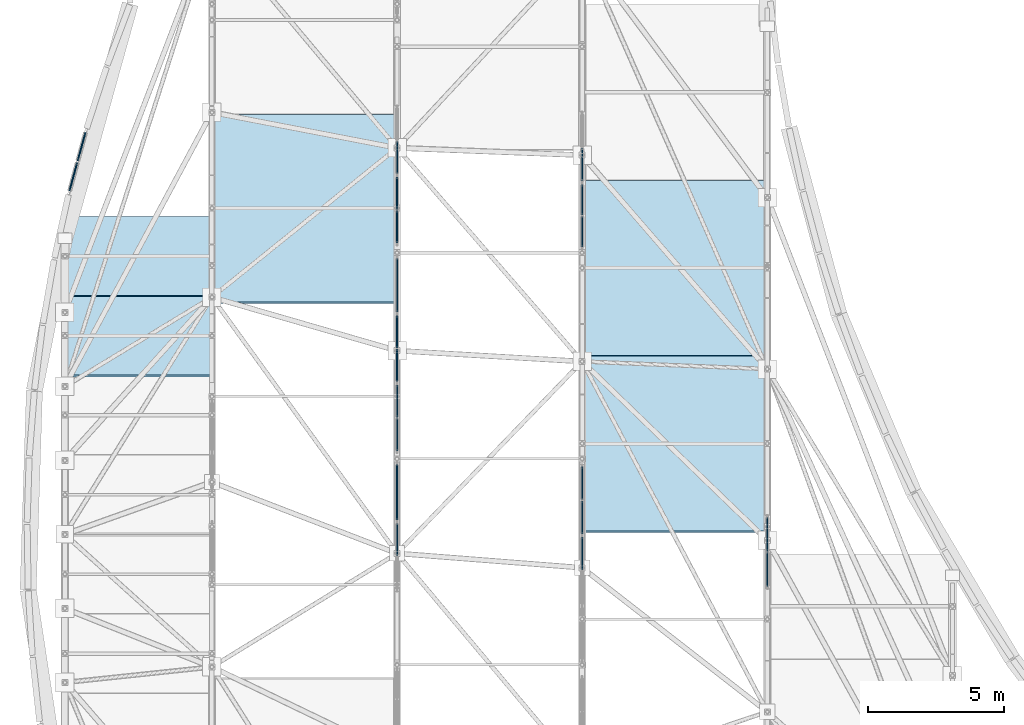
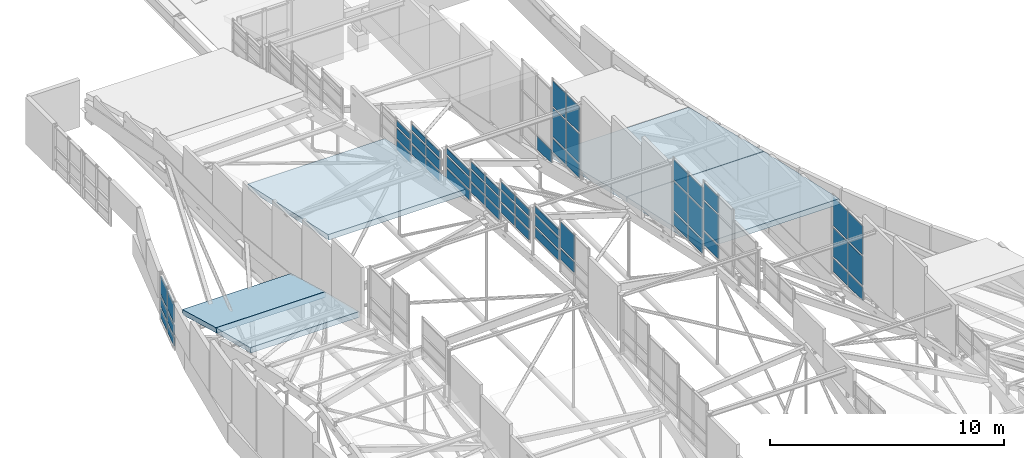
# One storey, part 157 of 188: 57 plates, 5 slabs, 13 elements without a shape of their own.
"""IFC4 building model written with IfcOpenShell, lengths in metres."""

from ifc_helpers import new_model, si_unit, direction, frame, origin, origin_2d, place, context, subcontext, project, spatial, polyline, rectangle, outline, extrude, material, layer, layer_set, type_object, element, aggregate, save


model = new_model("IFC4")

# Units and contexts
model_context = context("Model", 3, precision=1e-05, world=origin(), true_north=direction((0.0, 1.0)))
body_context = subcontext(model_context, "Body", "Model", "MODEL_VIEW")
ifc_project = project(units=[si_unit("LENGTHUNIT", "METRE"), si_unit("AREAUNIT", "SQUARE_METRE"), si_unit("VOLUMEUNIT", "CUBIC_METRE"), si_unit("PLANEANGLEUNIT", "RADIAN"), si_unit("MASSUNIT", "GRAM", prefix="KILO")], contexts=[model_context])

# Site, building, storey
site_placement = place(None, origin())
site = spatial("IfcSite", under=ifc_project, at=site_placement, CompositionType="ELEMENT")
building_placement = place(site_placement, origin())
building = spatial("IfcBuilding", under=site, at=building_placement, Name="Kisaragi Civic Commons", CompositionType="ELEMENT")
storey_placement = place(building_placement, frame((0.0, 0.0, 9.60009765625)))
storey = spatial("IfcBuildingStorey", under=building, at=storey_placement, Name="L02", CompositionType="ELEMENT", Elevation=9.60009765625)

# Curtain wall, plates
ifc_material_1 = material(Name="Thermally broken anodized aluminium and low-E double glazing", Category="aluminium")
ifc_layer_1 = layer(ifc_material_1, 0.2099609375, Name="Thermally broken anodized aluminium and low-E double glazing", Category="aluminium")
ifc_layer_set_1 = layer_set([ifc_layer_1], Name="Thermally broken anodized aluminium and low-E double glazing")
curtain_wall_type_1 = type_object("IfcCurtainWallType", Name="CW-02", PredefinedType="NOTDEFINED", material=ifc_layer_set_1)
curtain_wall_1_placement = place(storey_placement, origin())
curtain_wall_1 = element("IfcCurtainWall", 1, at=curtain_wall_1_placement, inside=storey, type_object=curtain_wall_type_1, Name="L02 curtain wall CW-02 CW-GAB-V1-171", PredefinedType="NOTDEFINED")
ifc_layer_2 = layer(ifc_material_1, 0.052001953125, Name="Thermally broken anodized aluminium and low-E double glazing", Category="aluminium")
ifc_layer_set_2 = layer_set([ifc_layer_2], Name="Thermally broken anodized aluminium and low-E double glazing")
plate_type_1 = type_object("IfcPlateType", Name="CWP-02", PredefinedType="CURTAIN_PANEL", material=ifc_layer_set_2)
plate_1_placement = place(storey_placement, frame((1.7099609375, 46.452392578125, -1.2392578125), z_axis=(0.0, 0.0, 1.0), x_axis=(0.263417873406, 0.964681825251, 0.0)))
plate_1 = element("IfcPlate", 2, at=plate_1_placement, type_object=plate_type_1, Name="CW-02 panel 1.1", PredefinedType="CURTAIN_PANEL", context=body_context, shape_type="SweptSolid", body=[
    extrude(rectangle(XDim=1.07763671875, YDim=0.052001953125, at=origin_2d()), origin(), (0.0, 0.0, 1.0), 0.409912109375),
])
plate_2_placement = place(storey_placement, frame((1.7099609375, 46.452392578125, -0.6689453125), z_axis=(0.0, 0.0, 1.0), x_axis=(0.263417873406, 0.964681825251, 0.0)))
plate_2 = element("IfcPlate", 3, at=plate_2_placement, type_object=plate_type_1, Name="CW-02 panel 1.2", PredefinedType="CURTAIN_PANEL", context=body_context, shape_type="SweptSolid", body=[
    extrude(rectangle(XDim=1.07763671875, YDim=0.052001953125, at=origin_2d()), origin(), (0.0, 0.0, 1.0), 0.489990234375),
])
plate_3_placement = place(storey_placement, frame((1.7099609375, 46.452392578125, -0.01904296875), z_axis=(0.0, 0.0, 1.0), x_axis=(0.263417873406, 0.964681825251, 0.0)))
plate_3 = element("IfcPlate", 4, at=plate_3_placement, type_object=plate_type_1, Name="CW-02 panel 1.3", PredefinedType="CURTAIN_PANEL", context=body_context, shape_type="SweptSolid", body=[
    extrude(rectangle(XDim=1.07763671875, YDim=0.052001953125, at=origin_2d()), origin(), (0.0, 0.0, 1.0), 0.9208984375),
])
plate_4_placement = place(storey_placement, frame((2.01220703125, 47.5595703125, -1.2392578125), z_axis=(0.0, 0.0, 1.0), x_axis=(0.263417873406, 0.964681825251, 0.0)))
plate_4 = element("IfcPlate", 5, at=plate_4_placement, type_object=plate_type_1, Name="CW-02 panel 2.1", PredefinedType="CURTAIN_PANEL", context=body_context, shape_type="SweptSolid", body=[
    extrude(rectangle(XDim=1.07763671875, YDim=0.052001953125, at=origin_2d()), origin(), (0.0, 0.0, 1.0), 0.409912109375),
])
plate_5_placement = place(storey_placement, frame((2.01220703125, 47.5595703125, -0.6689453125), z_axis=(0.0, 0.0, 1.0), x_axis=(0.263417873406, 0.964681825251, 0.0)))
plate_5 = element("IfcPlate", 6, at=plate_5_placement, type_object=plate_type_1, Name="CW-02 panel 2.2", PredefinedType="CURTAIN_PANEL", context=body_context, shape_type="SweptSolid", body=[
    extrude(rectangle(XDim=1.07763671875, YDim=0.052001953125, at=origin_2d()), origin(), (0.0, 0.0, 1.0), 0.489990234375),
])
plate_6_placement = place(storey_placement, frame((2.01220703125, 47.5595703125, -0.01904296875), z_axis=(0.0, 0.0, 1.0), x_axis=(0.263417873406, 0.964681825251, 0.0)))
plate_6 = element("IfcPlate", 7, at=plate_6_placement, type_object=plate_type_1, Name="CW-02 panel 2.3", PredefinedType="CURTAIN_PANEL", context=body_context, shape_type="SweptSolid", body=[
    extrude(rectangle(XDim=1.07763671875, YDim=0.052001953125, at=origin_2d()), origin(), (0.0, 0.0, 1.0), 0.9208984375),
])
aggregate(curtain_wall_1, [plate_1, plate_2, plate_3, plate_4, plate_5, plate_6])

ifc_layer_3 = layer(ifc_material_1, 0.14990234375, Name="Thermally broken anodized aluminium and low-E double glazing", Category="aluminium")
ifc_layer_set_3 = layer_set([ifc_layer_3], Name="Thermally broken anodized aluminium and low-E double glazing")
curtain_wall_type_2 = type_object("IfcCurtainWallType", Name="CW-03", PredefinedType="NOTDEFINED", material=ifc_layer_set_3)
curtain_wall_2_placement = place(storey_placement, origin())
curtain_wall_2 = element("IfcCurtainWall", 8, at=curtain_wall_2_placement, inside=storey, type_object=curtain_wall_type_2, Name="L02 curtain wall CW-03 CW-CL-V1-142", PredefinedType="NOTDEFINED")
ifc_layer_4 = layer(ifc_material_1, 0.0380859375, Name="Thermally broken anodized aluminium and low-E double glazing", Category="aluminium")
ifc_layer_set_4 = layer_set([ifc_layer_4], Name="Thermally broken anodized aluminium and low-E double glazing")
plate_type_2 = type_object("IfcPlateType", Name="CWP-03", PredefinedType="CURTAIN_PANEL", material=ifc_layer_set_4)
plate_7_placement = place(storey_placement, frame((13.60009765625, 33.12353515625, 6.4931640625), z_axis=(0.0, 0.0, 1.0), x_axis=(0.0, 1.0, 0.0)))
plate_7 = element("IfcPlate", 9, at=plate_7_placement, type_object=plate_type_2, Name="CW-03 panel 2.2", PredefinedType="CURTAIN_PANEL", context=body_context, shape_type="SweptSolid", body=[
    extrude(rectangle(XDim=1.170166015625, YDim=0.0380859375, at=origin_2d()), origin(), (0.0, 0.0, 1.0), 0.530029296875),
])
plate_8_placement = place(storey_placement, frame((13.60009765625, 33.12353515625, 7.14306640625), z_axis=(0.0, 0.0, 1.0), x_axis=(0.0, 1.0, 0.0)))
plate_8 = element("IfcPlate", 10, at=plate_8_placement, type_object=plate_type_2, Name="CW-03 panel 2.3", PredefinedType="CURTAIN_PANEL", context=body_context, shape_type="SweptSolid", body=[
    extrude(rectangle(XDim=1.170166015625, YDim=0.0380859375, at=origin_2d()), origin(), (0.0, 0.0, 1.0), 1.294189453125),
])
aggregate(curtain_wall_2, [plate_7, plate_8])

curtain_wall_3_placement = place(storey_placement, origin())
curtain_wall_3 = element("IfcCurtainWall", 11, at=curtain_wall_3_placement, inside=storey, type_object=curtain_wall_type_2, Name="L02 curtain wall CW-03 CW-CL-V1-144", PredefinedType="NOTDEFINED")
plate_9_placement = place(storey_placement, frame((13.60009765625, 36.982177734375, 5.8544921875), z_axis=(0.0, 0.0, 1.0), x_axis=(0.0, 1.0, 0.0)))
plate_9 = element("IfcPlate", 12, at=plate_9_placement, type_object=plate_type_2, Name="CW-03 panel 1.1", PredefinedType="CURTAIN_PANEL", context=body_context, shape_type="SweptSolid", body=[
    extrude(rectangle(XDim=1.170166015625, YDim=0.0380859375, at=origin_2d()), origin(), (0.0, 0.0, 1.0), 0.469970703125),
])
plate_10_placement = place(storey_placement, frame((13.60009765625, 36.982177734375, 6.44482421875), z_axis=(0.0, 0.0, 1.0), x_axis=(0.0, 1.0, 0.0)))
plate_10 = element("IfcPlate", 13, at=plate_10_placement, type_object=plate_type_2, Name="CW-03 panel 1.2", PredefinedType="CURTAIN_PANEL", context=body_context, shape_type="SweptSolid", body=[
    extrude(rectangle(XDim=1.170166015625, YDim=0.0380859375, at=origin_2d()), origin(), (0.0, 0.0, 1.0), 0.530029296875),
])
plate_11_placement = place(storey_placement, frame((13.60009765625, 36.982177734375, 7.094482421875), z_axis=(0.0, 0.0, 1.0), x_axis=(0.0, 1.0, 0.0)))
plate_11 = element("IfcPlate", 14, at=plate_11_placement, type_object=plate_type_2, Name="CW-03 panel 1.3", PredefinedType="CURTAIN_PANEL", context=body_context, shape_type="SweptSolid", body=[
    extrude(rectangle(XDim=1.170166015625, YDim=0.0380859375, at=origin_2d()), origin(), (0.0, 0.0, 1.0), 0.353515625),
])
plate_12_placement = place(storey_placement, frame((13.60009765625, 38.21240234375, 5.8544921875), z_axis=(0.0, 0.0, 1.0), x_axis=(0.0, 1.0, 0.0)))
plate_12 = element("IfcPlate", 15, at=plate_12_placement, type_object=plate_type_2, Name="CW-03 panel 2.1", PredefinedType="CURTAIN_PANEL", context=body_context, shape_type="SweptSolid", body=[
    extrude(rectangle(XDim=1.170166015625, YDim=0.0380859375, at=origin_2d()), origin(), (0.0, 0.0, 1.0), 0.469970703125),
])
plate_13_placement = place(storey_placement, frame((13.60009765625, 38.21240234375, 6.44482421875), z_axis=(0.0, 0.0, 1.0), x_axis=(0.0, 1.0, 0.0)))
plate_13 = element("IfcPlate", 16, at=plate_13_placement, type_object=plate_type_2, Name="CW-03 panel 2.2", PredefinedType="CURTAIN_PANEL", context=body_context, shape_type="SweptSolid", body=[
    extrude(rectangle(XDim=1.170166015625, YDim=0.0380859375, at=origin_2d()), origin(), (0.0, 0.0, 1.0), 0.530029296875),
])
plate_14_placement = place(storey_placement, frame((13.60009765625, 38.21240234375, 7.094482421875), z_axis=(0.0, 0.0, 1.0), x_axis=(0.0, 1.0, 0.0)))
plate_14 = element("IfcPlate", 17, at=plate_14_placement, type_object=plate_type_2, Name="CW-03 panel 2.3", PredefinedType="CURTAIN_PANEL", context=body_context, shape_type="SweptSolid", body=[
    extrude(rectangle(XDim=1.170166015625, YDim=0.0380859375, at=origin_2d()), origin(), (0.0, 0.0, 1.0), 0.353515625),
])
aggregate(curtain_wall_3, [plate_9, plate_10, plate_11, plate_12, plate_13, plate_14])

curtain_wall_4_placement = place(storey_placement, origin())
curtain_wall_4 = element("IfcCurtainWall", 18, at=curtain_wall_4_placement, inside=storey, type_object=curtain_wall_type_2, Name="L02 curtain wall CW-03 CW-CL-V1-146", PredefinedType="NOTDEFINED")
plate_15_placement = place(storey_placement, frame((13.60009765625, 42.4638671875, 4.84228515625), z_axis=(0.0, 0.0, 1.0), x_axis=(0.0, 1.0, 0.0)))
plate_15 = element("IfcPlate", 19, at=plate_15_placement, type_object=plate_type_2, Name="CW-03 panel 1.1", PredefinedType="CURTAIN_PANEL", context=body_context, shape_type="SweptSolid", body=[
    extrude(rectangle(XDim=1.95556640625, YDim=0.0380859375, at=origin_2d()), origin(), (0.0, 0.0, 1.0), 0.469970703125),
])
plate_16_placement = place(storey_placement, frame((13.60009765625, 42.4638671875, 5.43212890625), z_axis=(0.0, 0.0, 1.0), x_axis=(0.0, 1.0, 0.0)))
plate_16 = element("IfcPlate", 20, at=plate_16_placement, type_object=plate_type_2, Name="CW-03 panel 1.2", PredefinedType="CURTAIN_PANEL", context=body_context, shape_type="SweptSolid", body=[
    extrude(rectangle(XDim=1.95556640625, YDim=0.0380859375, at=origin_2d()), origin(), (0.0, 0.0, 1.0), 0.530029296875),
])
plate_17_placement = place(storey_placement, frame((13.60009765625, 42.4638671875, 6.082275390625), z_axis=(0.0, 0.0, 1.0), x_axis=(0.0, 1.0, 0.0)))
plate_17 = element("IfcPlate", 21, at=plate_17_placement, type_object=plate_type_2, Name="CW-03 panel 1.3", PredefinedType="CURTAIN_PANEL", context=body_context, shape_type="SweptSolid", body=[
    extrude(rectangle(XDim=1.95556640625, YDim=0.0380859375, at=origin_2d()), origin(), (0.0, 0.0, 1.0), 0.2998046875),
])
aggregate(curtain_wall_4, [plate_15, plate_16, plate_17])

curtain_wall_5_placement = place(storey_placement, origin())
curtain_wall_5 = element("IfcCurtainWall", 22, at=curtain_wall_5_placement, inside=storey, type_object=curtain_wall_type_2, Name="L02 curtain wall CW-03 CW-CL-V1-148", PredefinedType="NOTDEFINED")
plate_18_placement = place(storey_placement, frame((13.60009765625, 47.16015625, 3.71435546875), z_axis=(0.0, 0.0, 1.0), x_axis=(0.0, 1.0, 0.0)))
plate_18 = element("IfcPlate", 23, at=plate_18_placement, type_object=plate_type_2, Name="CW-03 panel 1.1", PredefinedType="CURTAIN_PANEL", context=body_context, shape_type="SweptSolid", body=[
    extrude(rectangle(XDim=1.170166015625, YDim=0.0380859375, at=origin_2d()), origin(), (0.0, 0.0, 1.0), 0.469970703125),
])
plate_19_placement = place(storey_placement, frame((13.60009765625, 47.16015625, 4.30419921875), z_axis=(0.0, 0.0, 1.0), x_axis=(0.0, 1.0, 0.0)))
plate_19 = element("IfcPlate", 24, at=plate_19_placement, type_object=plate_type_2, Name="CW-03 panel 1.2", PredefinedType="CURTAIN_PANEL", context=body_context, shape_type="SweptSolid", body=[
    extrude(rectangle(XDim=1.170166015625, YDim=0.0380859375, at=origin_2d()), origin(), (0.0, 0.0, 1.0), 0.530029296875),
])
plate_20_placement = place(storey_placement, frame((13.60009765625, 47.16015625, 4.9541015625), z_axis=(0.0, 0.0, 1.0), x_axis=(0.0, 1.0, 0.0)))
plate_20 = element("IfcPlate", 25, at=plate_20_placement, type_object=plate_type_2, Name="CW-03 panel 1.3", PredefinedType="CURTAIN_PANEL", context=body_context, shape_type="SweptSolid", body=[
    extrude(rectangle(XDim=1.170166015625, YDim=0.0380859375, at=origin_2d()), origin(), (0.0, 0.0, 1.0), 0.290771484375),
])
aggregate(curtain_wall_5, [plate_18, plate_19, plate_20])

curtain_wall_6_placement = place(storey_placement, origin())
curtain_wall_6 = element("IfcCurtainWall", 26, at=curtain_wall_6_placement, inside=storey, type_object=curtain_wall_type_2, Name="L02 curtain wall CW-03 CW-CL-V1-160", PredefinedType="NOTDEFINED")
plate_21_placement = place(storey_placement, frame((20.39990234375, 32.606201171875, 5.15673828125), z_axis=(0.0, 0.0, 1.0), x_axis=(0.0, 1.0, 0.0)))
plate_21 = element("IfcPlate", 27, at=plate_21_placement, type_object=plate_type_2, Name="CW-03 panel 2.1", PredefinedType="CURTAIN_PANEL", context=body_context, shape_type="SweptSolid", body=[
    extrude(rectangle(XDim=1.193115234375, YDim=0.0380859375, at=origin_2d()), origin(), (0.0, 0.0, 1.0), 0.669921875),
])
plate_22_placement = place(storey_placement, frame((20.39990234375, 32.606201171875, 5.946533203125), z_axis=(0.0, 0.0, 1.0), x_axis=(0.0, 1.0, 0.0)))
plate_22 = element("IfcPlate", 28, at=plate_22_placement, type_object=plate_type_2, Name="CW-03 panel 2.2", PredefinedType="CURTAIN_PANEL", context=body_context, shape_type="SweptSolid", body=[
    extrude(rectangle(XDim=1.193115234375, YDim=0.0380859375, at=origin_2d()), origin(), (0.0, 0.0, 1.0), 1.47998046875),
])
plate_23_placement = place(storey_placement, frame((20.39990234375, 32.606201171875, 7.546630859375), z_axis=(0.0, 0.0, 1.0), x_axis=(0.0, 1.0, 0.0)))
plate_23 = element("IfcPlate", 29, at=plate_23_placement, type_object=plate_type_2, Name="CW-03 panel 2.3", PredefinedType="CURTAIN_PANEL", context=body_context, shape_type="SweptSolid", body=[
    extrude(rectangle(XDim=1.193115234375, YDim=0.0380859375, at=origin_2d()), origin(), (0.0, 0.0, 1.0), 0.86474609375),
])
aggregate(curtain_wall_6, [plate_21, plate_22, plate_23])

curtain_wall_7_placement = place(storey_placement, origin())
curtain_wall_7 = element("IfcCurtainWall", 30, at=curtain_wall_7_placement, inside=storey, type_object=curtain_wall_type_2, Name="L02 curtain wall CW-03 CW-CL-V1-162", PredefinedType="NOTDEFINED")
plate_24_placement = place(storey_placement, frame((20.39990234375, 44.434814453125, 2.18505859375), z_axis=(0.0, 0.0, 1.0), x_axis=(0.0, 1.0, 0.0)))
plate_24 = element("IfcPlate", 31, at=plate_24_placement, type_object=plate_type_2, Name="CW-03 panel 1.1", PredefinedType="CURTAIN_PANEL", context=body_context, shape_type="SweptSolid", body=[
    extrude(rectangle(XDim=1.10693359375, YDim=0.0380859375, at=origin_2d()), origin(), (0.0, 0.0, 1.0), 0.669921875),
])
plate_25_placement = place(storey_placement, frame((20.39990234375, 44.434814453125, 2.97509765625), z_axis=(0.0, 0.0, 1.0), x_axis=(0.0, 1.0, 0.0)))
plate_25 = element("IfcPlate", 32, at=plate_25_placement, type_object=plate_type_2, Name="CW-03 panel 1.2", PredefinedType="CURTAIN_PANEL", context=body_context, shape_type="SweptSolid", body=[
    extrude(rectangle(XDim=1.10693359375, YDim=0.0380859375, at=origin_2d()), origin(), (0.0, 0.0, 1.0), 1.47998046875),
])
plate_26_placement = place(storey_placement, frame((20.39990234375, 44.434814453125, 4.5751953125), z_axis=(0.0, 0.0, 1.0), x_axis=(0.0, 1.0, 0.0)))
plate_26 = element("IfcPlate", 33, at=plate_26_placement, type_object=plate_type_2, Name="CW-03 panel 1.3", PredefinedType="CURTAIN_PANEL", context=body_context, shape_type="SweptSolid", body=[
    extrude(rectangle(XDim=1.10693359375, YDim=0.0380859375, at=origin_2d()), origin(), (0.0, 0.0, 1.0), 1.30908203125),
])
plate_27_placement = place(storey_placement, frame((20.39990234375, 45.601806640625, 2.18505859375), z_axis=(0.0, 0.0, 1.0), x_axis=(0.0, 1.0, 0.0)))
plate_27 = element("IfcPlate", 34, at=plate_27_placement, type_object=plate_type_2, Name="CW-03 panel 2.1", PredefinedType="CURTAIN_PANEL", context=body_context, shape_type="SweptSolid", body=[
    extrude(rectangle(XDim=1.10693359375, YDim=0.0380859375, at=origin_2d()), origin(), (0.0, 0.0, 1.0), 0.669921875),
])
plate_28_placement = place(storey_placement, frame((20.39990234375, 45.601806640625, 2.97509765625), z_axis=(0.0, 0.0, 1.0), x_axis=(0.0, 1.0, 0.0)))
plate_28 = element("IfcPlate", 35, at=plate_28_placement, type_object=plate_type_2, Name="CW-03 panel 2.2", PredefinedType="CURTAIN_PANEL", context=body_context, shape_type="SweptSolid", body=[
    extrude(rectangle(XDim=1.10693359375, YDim=0.0380859375, at=origin_2d()), origin(), (0.0, 0.0, 1.0), 1.47998046875),
])
plate_29_placement = place(storey_placement, frame((20.39990234375, 45.601806640625, 4.5751953125), z_axis=(0.0, 0.0, 1.0), x_axis=(0.0, 1.0, 0.0)))
plate_29 = element("IfcPlate", 36, at=plate_29_placement, type_object=plate_type_2, Name="CW-03 panel 2.3", PredefinedType="CURTAIN_PANEL", context=body_context, shape_type="SweptSolid", body=[
    extrude(rectangle(XDim=1.10693359375, YDim=0.0380859375, at=origin_2d()), origin(), (0.0, 0.0, 1.0), 1.30908203125),
])
aggregate(curtain_wall_7, [plate_24, plate_25, plate_26, plate_27, plate_28, plate_29])

curtain_wall_8_placement = place(storey_placement, origin())
curtain_wall_8 = element("IfcCurtainWall", 37, at=curtain_wall_8_placement, inside=storey, type_object=curtain_wall_type_2, Name="L02 curtain wall CW-03 CW-CL-V1-143", PredefinedType="NOTDEFINED")
ifc_layer_5 = layer(ifc_material_1, 0.041015625, Name="Thermally broken anodized aluminium and low-E double glazing", Category="aluminium")
ifc_layer_set_5 = layer_set([ifc_layer_5], Name="Thermally broken anodized aluminium and low-E double glazing")
plate_type_3 = type_object("IfcPlateType", Name="CWP-11", PredefinedType="CURTAIN_PANEL", material=ifc_layer_set_5)
plate_30_placement = place(storey_placement, frame((13.60009765625, 34.86328125, 6.34912109375), z_axis=(0.0, 0.0, 1.0), x_axis=(0.0, 1.0, 0.0)))
plate_30 = element("IfcPlate", 38, at=plate_30_placement, type_object=plate_type_3, Name="CW-03 panel 1.1", PredefinedType="CURTAIN_PANEL", context=body_context, shape_type="SweptSolid", body=[
    extrude(rectangle(XDim=2.021484375, YDim=0.041015625, at=origin_2d()), origin(), (0.0, 0.0, 1.0), 0.469970703125),
])
plate_31_placement = place(storey_placement, frame((13.60009765625, 34.86328125, 6.93896484375), z_axis=(0.0, 0.0, 1.0), x_axis=(0.0, 1.0, 0.0)))
plate_31 = element("IfcPlate", 39, at=plate_31_placement, type_object=plate_type_3, Name="CW-03 panel 1.2", PredefinedType="CURTAIN_PANEL", context=body_context, shape_type="SweptSolid", body=[
    extrude(rectangle(XDim=2.021484375, YDim=0.041015625, at=origin_2d()), origin(), (0.0, 0.0, 1.0), 0.530029296875),
])
plate_32_placement = place(storey_placement, frame((13.60009765625, 34.86328125, 7.589111328125), z_axis=(0.0, 0.0, 1.0), x_axis=(0.0, 1.0, 0.0)))
plate_32 = element("IfcPlate", 40, at=plate_32_placement, type_object=plate_type_3, Name="CW-03 panel 1.3", PredefinedType="CURTAIN_PANEL", context=body_context, shape_type="SweptSolid", body=[
    extrude(rectangle(XDim=2.021484375, YDim=0.041015625, at=origin_2d()), origin(), (0.0, 0.0, 1.0), 0.353515625),
])
aggregate(curtain_wall_8, [plate_30, plate_31, plate_32])

curtain_wall_9_placement = place(storey_placement, origin())
curtain_wall_9 = element("IfcCurtainWall", 41, at=curtain_wall_9_placement, inside=storey, type_object=curtain_wall_type_2, Name="L02 curtain wall CW-03 CW-CL-V1-145", PredefinedType="NOTDEFINED")
plate_33_placement = place(storey_placement, frame((13.60009765625, 39.526611328125, 5.35986328125), z_axis=(0.0, 0.0, 1.0), x_axis=(0.0, 1.0, 0.0)))
plate_33 = element("IfcPlate", 42, at=plate_33_placement, type_object=plate_type_3, Name="CW-03 panel 1.1", PredefinedType="CURTAIN_PANEL", context=body_context, shape_type="SweptSolid", body=[
    extrude(rectangle(XDim=1.170166015625, YDim=0.041015625, at=origin_2d()), origin(), (0.0, 0.0, 1.0), 0.469970703125),
])
plate_34_placement = place(storey_placement, frame((13.60009765625, 39.526611328125, 5.9501953125), z_axis=(0.0, 0.0, 1.0), x_axis=(0.0, 1.0, 0.0)))
plate_34 = element("IfcPlate", 43, at=plate_34_placement, type_object=plate_type_3, Name="CW-03 panel 1.2", PredefinedType="CURTAIN_PANEL", context=body_context, shape_type="SweptSolid", body=[
    extrude(rectangle(XDim=1.170166015625, YDim=0.041015625, at=origin_2d()), origin(), (0.0, 0.0, 1.0), 0.530029296875),
])
plate_35_placement = place(storey_placement, frame((13.60009765625, 39.526611328125, 6.60009765625), z_axis=(0.0, 0.0, 1.0), x_axis=(0.0, 1.0, 0.0)))
plate_35 = element("IfcPlate", 44, at=plate_35_placement, type_object=plate_type_3, Name="CW-03 panel 1.3", PredefinedType="CURTAIN_PANEL", context=body_context, shape_type="SweptSolid", body=[
    extrude(rectangle(XDim=1.170166015625, YDim=0.041015625, at=origin_2d()), origin(), (0.0, 0.0, 1.0), 0.34619140625),
])
plate_36_placement = place(storey_placement, frame((13.60009765625, 40.7568359375, 5.35986328125), z_axis=(0.0, 0.0, 1.0), x_axis=(0.0, 1.0, 0.0)))
plate_36 = element("IfcPlate", 45, at=plate_36_placement, type_object=plate_type_3, Name="CW-03 panel 2.1", PredefinedType="CURTAIN_PANEL", context=body_context, shape_type="SweptSolid", body=[
    extrude(rectangle(XDim=1.170166015625, YDim=0.041015625, at=origin_2d()), origin(), (0.0, 0.0, 1.0), 0.469970703125),
])
plate_37_placement = place(storey_placement, frame((13.60009765625, 40.7568359375, 5.9501953125), z_axis=(0.0, 0.0, 1.0), x_axis=(0.0, 1.0, 0.0)))
plate_37 = element("IfcPlate", 46, at=plate_37_placement, type_object=plate_type_3, Name="CW-03 panel 2.2", PredefinedType="CURTAIN_PANEL", context=body_context, shape_type="SweptSolid", body=[
    extrude(rectangle(XDim=1.170166015625, YDim=0.041015625, at=origin_2d()), origin(), (0.0, 0.0, 1.0), 0.530029296875),
])
plate_38_placement = place(storey_placement, frame((13.60009765625, 40.7568359375, 6.60009765625), z_axis=(0.0, 0.0, 1.0), x_axis=(0.0, 1.0, 0.0)))
plate_38 = element("IfcPlate", 47, at=plate_38_placement, type_object=plate_type_3, Name="CW-03 panel 2.3", PredefinedType="CURTAIN_PANEL", context=body_context, shape_type="SweptSolid", body=[
    extrude(rectangle(XDim=1.170166015625, YDim=0.041015625, at=origin_2d()), origin(), (0.0, 0.0, 1.0), 0.34619140625),
])
aggregate(curtain_wall_9, [plate_33, plate_34, plate_35, plate_36, plate_37, plate_38])

curtain_wall_10_placement = place(storey_placement, origin())
curtain_wall_10 = element("IfcCurtainWall", 48, at=curtain_wall_10_placement, inside=storey, type_object=curtain_wall_type_2, Name="L02 curtain wall CW-03 CW-CL-V1-147", PredefinedType="NOTDEFINED")
plate_39_placement = place(storey_placement, frame((13.60009765625, 44.61572265625, 4.2783203125), z_axis=(0.0, 0.0, 1.0), x_axis=(0.0, 1.0, 0.0)))
plate_39 = element("IfcPlate", 49, at=plate_39_placement, type_object=plate_type_3, Name="CW-03 panel 1.1", PredefinedType="CURTAIN_PANEL", context=body_context, shape_type="SweptSolid", body=[
    extrude(rectangle(XDim=1.170166015625, YDim=0.041015625, at=origin_2d()), origin(), (0.0, 0.0, 1.0), 0.469970703125),
])
plate_40_placement = place(storey_placement, frame((13.60009765625, 44.61572265625, 4.8681640625), z_axis=(0.0, 0.0, 1.0), x_axis=(0.0, 1.0, 0.0)))
plate_40 = element("IfcPlate", 50, at=plate_40_placement, type_object=plate_type_3, Name="CW-03 panel 1.2", PredefinedType="CURTAIN_PANEL", context=body_context, shape_type="SweptSolid", body=[
    extrude(rectangle(XDim=1.170166015625, YDim=0.041015625, at=origin_2d()), origin(), (0.0, 0.0, 1.0), 0.530029296875),
])
plate_41_placement = place(storey_placement, frame((13.60009765625, 44.61572265625, 5.518310546875), z_axis=(0.0, 0.0, 1.0), x_axis=(0.0, 1.0, 0.0)))
plate_41 = element("IfcPlate", 51, at=plate_41_placement, type_object=plate_type_3, Name="CW-03 panel 1.3", PredefinedType="CURTAIN_PANEL", context=body_context, shape_type="SweptSolid", body=[
    extrude(rectangle(XDim=1.170166015625, YDim=0.041015625, at=origin_2d()), origin(), (0.0, 0.0, 1.0), 0.2998046875),
])
plate_42_placement = place(storey_placement, frame((13.60009765625, 45.845947265625, 4.2783203125), z_axis=(0.0, 0.0, 1.0), x_axis=(0.0, 1.0, 0.0)))
plate_42 = element("IfcPlate", 52, at=plate_42_placement, type_object=plate_type_3, Name="CW-03 panel 2.1", PredefinedType="CURTAIN_PANEL", context=body_context, shape_type="SweptSolid", body=[
    extrude(rectangle(XDim=1.170166015625, YDim=0.041015625, at=origin_2d()), origin(), (0.0, 0.0, 1.0), 0.469970703125),
])
plate_43_placement = place(storey_placement, frame((13.60009765625, 45.845947265625, 4.8681640625), z_axis=(0.0, 0.0, 1.0), x_axis=(0.0, 1.0, 0.0)))
plate_43 = element("IfcPlate", 53, at=plate_43_placement, type_object=plate_type_3, Name="CW-03 panel 2.2", PredefinedType="CURTAIN_PANEL", context=body_context, shape_type="SweptSolid", body=[
    extrude(rectangle(XDim=1.170166015625, YDim=0.041015625, at=origin_2d()), origin(), (0.0, 0.0, 1.0), 0.530029296875),
])
plate_44_placement = place(storey_placement, frame((13.60009765625, 45.845947265625, 5.518310546875), z_axis=(0.0, 0.0, 1.0), x_axis=(0.0, 1.0, 0.0)))
plate_44 = element("IfcPlate", 54, at=plate_44_placement, type_object=plate_type_3, Name="CW-03 panel 2.3", PredefinedType="CURTAIN_PANEL", context=body_context, shape_type="SweptSolid", body=[
    extrude(rectangle(XDim=1.170166015625, YDim=0.041015625, at=origin_2d()), origin(), (0.0, 0.0, 1.0), 0.2998046875),
])
aggregate(curtain_wall_10, [plate_39, plate_40, plate_41, plate_42, plate_43, plate_44])

curtain_wall_11_placement = place(storey_placement, origin())
curtain_wall_11 = element("IfcCurtainWall", 55, at=curtain_wall_11_placement, inside=storey, type_object=curtain_wall_type_2, Name="L02 curtain wall CW-03 CW-CL-V1-161", PredefinedType="NOTDEFINED")
plate_45_placement = place(storey_placement, frame((20.39990234375, 33.943603515625, 4.621826171875), z_axis=(0.0, 0.0, 1.0), x_axis=(0.0, 1.0, 0.0)))
plate_45 = element("IfcPlate", 56, at=plate_45_placement, type_object=plate_type_3, Name="CW-03 panel 1.1", PredefinedType="CURTAIN_PANEL", context=body_context, shape_type="SweptSolid", body=[
    extrude(rectangle(XDim=1.193359375, YDim=0.041015625, at=origin_2d()), origin(), (0.0, 0.0, 1.0), 0.669921875),
])
plate_46_placement = place(storey_placement, frame((20.39990234375, 33.943603515625, 5.411865234375), z_axis=(0.0, 0.0, 1.0), x_axis=(0.0, 1.0, 0.0)))
plate_46 = element("IfcPlate", 57, at=plate_46_placement, type_object=plate_type_3, Name="CW-03 panel 1.2", PredefinedType="CURTAIN_PANEL", context=body_context, shape_type="SweptSolid", body=[
    extrude(rectangle(XDim=1.193359375, YDim=0.041015625, at=origin_2d()), origin(), (0.0, 0.0, 1.0), 1.47998046875),
])
plate_47_placement = place(storey_placement, frame((20.39990234375, 33.943603515625, 7.011962890625), z_axis=(0.0, 0.0, 1.0), x_axis=(0.0, 1.0, 0.0)))
plate_47 = element("IfcPlate", 58, at=plate_47_placement, type_object=plate_type_3, Name="CW-03 panel 1.3", PredefinedType="CURTAIN_PANEL", context=body_context, shape_type="SweptSolid", body=[
    extrude(rectangle(XDim=1.193359375, YDim=0.041015625, at=origin_2d()), origin(), (0.0, 0.0, 1.0), 1.0244140625),
])
plate_48_placement = place(storey_placement, frame((20.39990234375, 35.19677734375, 4.621826171875), z_axis=(0.0, 0.0, 1.0), x_axis=(0.0, 1.0, 0.0)))
plate_48 = element("IfcPlate", 59, at=plate_48_placement, type_object=plate_type_3, Name="CW-03 panel 2.1", PredefinedType="CURTAIN_PANEL", context=body_context, shape_type="SweptSolid", body=[
    extrude(rectangle(XDim=1.193359375, YDim=0.041015625, at=origin_2d()), origin(), (0.0, 0.0, 1.0), 0.669921875),
])
plate_49_placement = place(storey_placement, frame((20.39990234375, 35.19677734375, 5.411865234375), z_axis=(0.0, 0.0, 1.0), x_axis=(0.0, 1.0, 0.0)))
plate_49 = element("IfcPlate", 60, at=plate_49_placement, type_object=plate_type_3, Name="CW-03 panel 2.2", PredefinedType="CURTAIN_PANEL", context=body_context, shape_type="SweptSolid", body=[
    extrude(rectangle(XDim=1.193359375, YDim=0.041015625, at=origin_2d()), origin(), (0.0, 0.0, 1.0), 1.47998046875),
])
plate_50_placement = place(storey_placement, frame((20.39990234375, 35.19677734375, 7.011962890625), z_axis=(0.0, 0.0, 1.0), x_axis=(0.0, 1.0, 0.0)))
plate_50 = element("IfcPlate", 61, at=plate_50_placement, type_object=plate_type_3, Name="CW-03 panel 2.3", PredefinedType="CURTAIN_PANEL", context=body_context, shape_type="SweptSolid", body=[
    extrude(rectangle(XDim=1.193359375, YDim=0.041015625, at=origin_2d()), origin(), (0.0, 0.0, 1.0), 1.0244140625),
])
aggregate(curtain_wall_11, [plate_45, plate_46, plate_47, plate_48, plate_49, plate_50])

# Curtain wall, plate
curtain_wall_12_placement = place(storey_placement, origin())
curtain_wall_12 = element("IfcCurtainWall", 62, at=curtain_wall_12_placement, inside=storey, type_object=curtain_wall_type_2, Name="L02 curtain wall CW-03 CW-CL-V1-163", PredefinedType="NOTDEFINED")
plate_51_placement = place(storey_placement, frame((20.39990234375, 46.895751953125, 1.505859375), z_axis=(0.0, 0.0, 1.0), x_axis=(0.0, 1.0, 0.0)))
plate_51 = element("IfcPlate", 63, at=plate_51_placement, type_object=plate_type_3, Name="CW-03 panel 1.1", PredefinedType="CURTAIN_PANEL", context=body_context, shape_type="SweptSolid", body=[
    extrude(rectangle(XDim=1.193359375, YDim=0.041015625, at=origin_2d()), origin(), (0.0, 0.0, 1.0), 0.669921875),
])
aggregate(curtain_wall_12, [plate_51])

# Curtain wall, plates
curtain_wall_13_placement = place(storey_placement, origin())
curtain_wall_13 = element("IfcCurtainWall", 64, at=curtain_wall_13_placement, inside=storey, type_object=curtain_wall_type_2, Name="L02 curtain wall CW-03 CW-CL-V1-169", PredefinedType="NOTDEFINED")
plate_52_placement = place(storey_placement, frame((27.199951171875, 32.028076171875, 0.96337890625), z_axis=(0.0, 0.0, 1.0), x_axis=(0.0, 1.0, 0.0)))
plate_52 = element("IfcPlate", 65, at=plate_52_placement, type_object=plate_type_3, Name="CW-03 panel 1.1", PredefinedType="CURTAIN_PANEL", context=body_context, shape_type="SweptSolid", body=[
    extrude(rectangle(XDim=1.230224609375, YDim=0.041015625, at=origin_2d()), origin(), (0.0, 0.0, 1.0), 0.669921875),
])
plate_53_placement = place(storey_placement, frame((27.199951171875, 32.028076171875, 1.75341796875), z_axis=(0.0, 0.0, 1.0), x_axis=(0.0, 1.0, 0.0)))
plate_53 = element("IfcPlate", 66, at=plate_53_placement, type_object=plate_type_3, Name="CW-03 panel 1.2", PredefinedType="CURTAIN_PANEL", context=body_context, shape_type="SweptSolid", body=[
    extrude(rectangle(XDim=1.230224609375, YDim=0.041015625, at=origin_2d()), origin(), (0.0, 0.0, 1.0), 1.47998046875),
])
plate_54_placement = place(storey_placement, frame((27.199951171875, 32.028076171875, 3.353515625), z_axis=(0.0, 0.0, 1.0), x_axis=(0.0, 1.0, 0.0)))
plate_54 = element("IfcPlate", 67, at=plate_54_placement, type_object=plate_type_3, Name="CW-03 panel 1.3", PredefinedType="CURTAIN_PANEL", context=body_context, shape_type="SweptSolid", body=[
    extrude(rectangle(XDim=1.230224609375, YDim=0.041015625, at=origin_2d()), origin(), (0.0, 0.0, 1.0), 1.488525390625),
])
plate_55_placement = place(storey_placement, frame((27.199951171875, 33.318359375, 0.96337890625), z_axis=(0.0, 0.0, 1.0), x_axis=(0.0, 1.0, 0.0)))
plate_55 = element("IfcPlate", 68, at=plate_55_placement, type_object=plate_type_3, Name="CW-03 panel 2.1", PredefinedType="CURTAIN_PANEL", context=body_context, shape_type="SweptSolid", body=[
    extrude(rectangle(XDim=1.230224609375, YDim=0.041015625, at=origin_2d()), origin(), (0.0, 0.0, 1.0), 0.669921875),
])
plate_56_placement = place(storey_placement, frame((27.199951171875, 33.318359375, 1.75341796875), z_axis=(0.0, 0.0, 1.0), x_axis=(0.0, 1.0, 0.0)))
plate_56 = element("IfcPlate", 69, at=plate_56_placement, type_object=plate_type_3, Name="CW-03 panel 2.2", PredefinedType="CURTAIN_PANEL", context=body_context, shape_type="SweptSolid", body=[
    extrude(rectangle(XDim=1.230224609375, YDim=0.041015625, at=origin_2d()), origin(), (0.0, 0.0, 1.0), 1.47998046875),
])
plate_57_placement = place(storey_placement, frame((27.199951171875, 33.318359375, 3.353515625), z_axis=(0.0, 0.0, 1.0), x_axis=(0.0, 1.0, 0.0)))
plate_57 = element("IfcPlate", 70, at=plate_57_placement, type_object=plate_type_3, Name="CW-03 panel 2.3", PredefinedType="CURTAIN_PANEL", context=body_context, shape_type="SweptSolid", body=[
    extrude(rectangle(XDim=1.230224609375, YDim=0.041015625, at=origin_2d()), origin(), (0.0, 0.0, 1.0), 1.488525390625),
])
aggregate(curtain_wall_13, [plate_52, plate_53, plate_54, plate_55, plate_56, plate_57])

# Slabs
ifc_material_2 = material(Name="Concrete Fc30", Category="concrete")
ifc_layer_6 = layer(ifc_material_2, 0.2548828125, Name="Concrete Fc30", Category="concrete")
ifc_layer_set_6 = layer_set([ifc_layer_6], Name="Concrete Fc30")
slab_type = type_object("IfcSlabType", Name="SL-WV1", PredefinedType="ROOF", material=ifc_layer_set_6)
slab_1_placement = place(storey_placement, frame((6.794921875, 42.063232421875, 2.10205078125), z_axis=(0.0, 0.241939586089, 0.97029131537), x_axis=(-1.0, 0.0, 0.0)))
element("IfcSlab", 71, at=slab_1_placement, inside=storey, type_object=slab_type, Name="V1 continuous wave vault facet 1.7", PredefinedType="ROOF", context=body_context, shape_type="SweptSolid", body=[
    extrude(outline(polyline([(0.0, 0.0), (5.389892578125, 0.0), (5.389892578125, 2.987937618269577), (0.0, 2.987937618269577), (0.0, 0.0)])), origin(), (0.0, 0.0, -1.0), 0.2548828125),
])
slab_2_placement = place(storey_placement, frame((6.794921875, 44.984619140625, 1.2919921875), z_axis=(0.0, 0.267259091064, 0.963624708195), x_axis=(-1.0, 0.0, 0.0)))
element("IfcSlab", 72, at=slab_2_placement, inside=storey, type_object=slab_type, Name="V1 continuous wave vault facet 1.8", PredefinedType="ROOF", context=body_context, shape_type="SweptSolid", body=[
    extrude(outline(polyline([(0.0, 0.0), (5.389892578125, 0.0), (5.389892578125, 3.0108891592614153), (0.0, 3.0108891592614153), (0.0, 0.0)])), origin(), (0.0, 0.0, -1.0), 0.2548828125),
])
slab_3_placement = place(storey_placement, frame((13.594970703125, 48.743896484375, 3.67431640625), z_axis=(0.0, 0.216436139605, 0.976296777355), x_axis=(-1.0, 0.0, 0.0)))
element("IfcSlab", 73, at=slab_3_placement, inside=storey, type_object=slab_type, Name="V1 continuous wave vault facet 2.6", PredefinedType="ROOF", context=body_context, shape_type="SweptSolid", body=[
    extrude(outline(polyline([(0.0, 0.0), (6.7900390625, 0.0), (6.7900390625, 7.060171072470406), (0.0, 7.060171072470406), (0.0, 0.0)])), origin(), (0.0, 0.0, -1.0), 0.2548828125),
])
slab_4_placement = place(storey_placement, frame((27.195068359375, 39.868408203125, 3.622314453125), z_axis=(0.0, 0.216431992525, 0.976297696715), x_axis=(-1.0, 0.0, 0.0)))
element("IfcSlab", 74, at=slab_4_placement, inside=storey, type_object=slab_type, Name="V1 continuous wave vault facet 4.6", PredefinedType="ROOF", context=body_context, shape_type="SweptSolid", body=[
    extrude(outline(polyline([(0.0, 0.0), (6.7900390625, 0.0), (6.7900390625, 6.586535995639295), (0.0, 6.586535995639295), (0.0, 0.0)])), origin(), (0.0, 0.0, -1.0), 0.2548828125),
])
slab_5_placement = place(storey_placement, frame((27.195068359375, 46.318603515625, 2.014404296875), z_axis=(0.0, 0.241920152206, 0.970296160951), x_axis=(-1.0, 0.0, 0.0)))
element("IfcSlab", 75, at=slab_5_placement, inside=storey, type_object=slab_type, Name="V1 continuous wave vault facet 4.7", PredefinedType="ROOF", context=body_context, shape_type="SweptSolid", body=[
    extrude(outline(polyline([(0.0, 0.0), (6.7900390625, 0.0), (6.7900390625, 6.627275445026931), (0.0, 6.627275445026931), (0.0, 0.0)])), origin(), (0.0, 0.0, -1.0), 0.2548828125),
])

save(model, "model.ifc")
